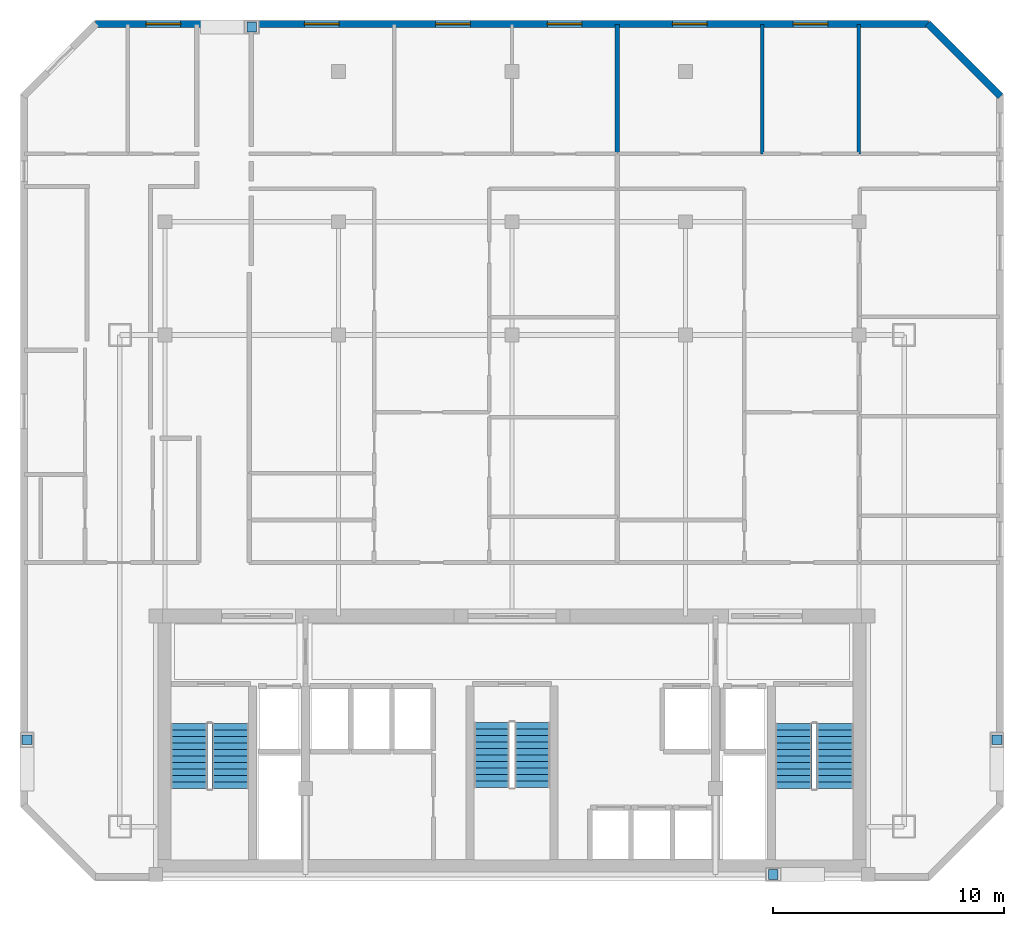
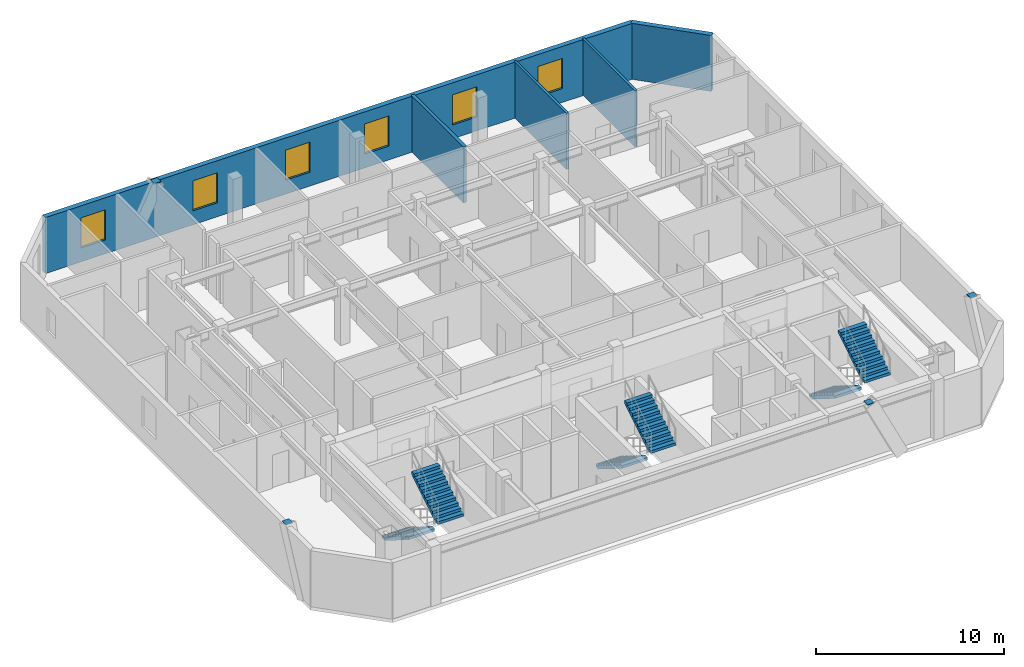
# One storey, part 6 of 7: 6 stair flights, 6 windows, 5 walls, 4 discrete accessories, 6 openings, 3 elements without a shape of their own.
"""IFC4 building model written with IfcOpenShell, lengths in metres."""

from ifc_helpers import new_model, si_unit, direction, frame, frame_2d, origin, origin_2d, place, context, subcontext, project, spatial, polyline, rectangle, outline, extrude, material, layer, layer_set, type_object, element, fill, aggregate, save


model = new_model("IFC4")

# Units and contexts
model_context = context("Model", 3, precision=1e-05, world=origin(), true_north=direction((0.0, 1.0)))
body_context = subcontext(model_context, "Body", "Model", "MODEL_VIEW")
ifc_project = project(units=[si_unit("LENGTHUNIT", "METRE"), si_unit("AREAUNIT", "SQUARE_METRE"), si_unit("VOLUMEUNIT", "CUBIC_METRE"), si_unit("PLANEANGLEUNIT", "RADIAN"), si_unit("MASSUNIT", "GRAM", prefix="KILO")], contexts=[model_context])

# Site, building, storey
site_placement = place(None, origin())
site = spatial("IfcSite", under=ifc_project, at=site_placement, CompositionType="ELEMENT")
building_placement = place(site_placement, origin())
building = spatial("IfcBuilding", under=site, at=building_placement, Name="Ventersveld Concourse Tower", CompositionType="ELEMENT")
storey_placement = place(building_placement, frame((0.0, 0.0, 223.39990234375)))
storey = spatial("IfcBuildingStorey", under=building, at=storey_placement, Name="L55", CompositionType="ELEMENT", Elevation=223.39990234375)

# Walls
ifc_material_1 = material(Name="Fire-rated autoclaved aerated masonry blockwork", Category="masonry")
ifc_layer_1 = layer(ifc_material_1, 0.199951171875)
ifc_layer_set_1 = layer_set([ifc_layer_1], Name="Fire-rated autoclaved aerated masonry blockwork")
wall_type_1 = type_object("IfcWallType", Name="WL-DEMISE-200", PredefinedType="PARTITIONING", material=ifc_layer_set_1)
wall_1_placement = place(storey_placement, frame((33.300048828125, 31.465087890625, 0.0), z_axis=(0.0, 0.0, 1.0), x_axis=(0.0, 1.0, 0.0)))
element("IfcWall", 1, at=wall_1_placement, inside=storey, type_object=wall_type_1, Name="L55 Interior Partition SP-L55-55N1-BR3-SP-L55-55N2-BR1", PredefinedType="PARTITIONING", context=body_context, shape_type="SweptSolid", body=[
    extrude(rectangle(XDim=5.5625, YDim=0.199951171875, at=frame_2d((2.78125, 0.0))), origin(), (0.0, 0.0, 1.0), 3.630126953125),
])
ifc_material_2 = material(Name="Autoclaved aerated masonry blockwork", Category="masonry")
ifc_layer_2 = layer(ifc_material_2, 0.14990234375)
ifc_layer_set_2 = layer_set([ifc_layer_2], Name="Autoclaved aerated masonry blockwork")
wall_type_2 = type_object("IfcWallType", Name="WL-INT-150", PredefinedType="PARTITIONING", material=ifc_layer_set_2)
for number, where, z_axis, x_axis, name in (
    (2, (39.56396484375, 31.425048828125, 0.0), (0.0, 0.0, 1.0), (0.0, 1.0, 0.0), "L55 Interior Partition SP-L55-55N2-BR1-SP-L55-55N2-BR2"),
    (3, (43.75, 31.425048828125, 0.0), (0.0, 0.0, 1.0), (0.0, 1.0, 0.0), "L55 Interior Partition SP-L55-55N2-BR2-SP-L55-55N2-BR3"),
):
    element("IfcWall", number, at=place(storey_placement, frame(where, z_axis=z_axis, x_axis=x_axis)), inside=storey, type_object=wall_type_2, Name=name, PredefinedType="PARTITIONING", context=body_context, shape_type="SweptSolid", body=[
        extrude(rectangle(XDim=5.6025390625, YDim=0.14990234375, at=frame_2d((2.80126953125, 0.0))), origin(), (0.0, 0.0, 1.0), 3.630126953125),
    ])
ifc_material_3 = material(Name="Precast concrete C45/55", Category="concrete")
ifc_layer_3 = layer(ifc_material_3, 0.300048828125)
ifc_layer_set_3 = layer_set([ifc_layer_3], Name="Precast concrete C45/55")
wall_type_3 = type_object("IfcWallType", Name="WL-PREC-300", PredefinedType="SOLIDWALL", material=ifc_layer_set_3)
wall_2_placement = place(storey_placement, frame((49.865478515625, 33.922119140625, 0.0), z_axis=(0.0, 0.0, 1.0), x_axis=(-0.707079321262, 0.707134240044, 0.0)))
element("IfcWall", 4, at=wall_2_placement, inside=storey, type_object=wall_type_3, Name="L55 Highveld Precast Facade Wall E04", PredefinedType="SOLIDWALL", context=body_context, shape_type="SweptSolid", body=[
    extrude(rectangle(XDim=4.445556640625, YDim=0.300048828125, at=frame_2d((2.22265625, 0.0))), origin(), (0.0, 0.0, 1.0), 3.630126953125),
])

# Wall, openings, windows
wall_3_placement = place(storey_placement, frame((46.760009765625, 37.050048828125, 0.0), z_axis=(0.0, 0.0, 1.0), x_axis=(-1.0, 0.0, 0.0)))
wall_3 = element("IfcWall", 5, at=wall_3_placement, inside=storey, type_object=wall_type_3, Name="L55 Highveld Precast Facade Wall E05", PredefinedType="SOLIDWALL", context=body_context, shape_type="SweptSolid", body=[
    extrude(rectangle(XDim=36.02001953125, YDim=0.300048828125, at=frame_2d((18.010009765625, 0.0))), origin(), (0.0, 0.0, 1.0), 3.630126953125),
])
opening_1_placement = place(wall_3_placement, frame((32.3369140625, 0.0, 0.89990234375)))
opening_1 = element("IfcOpeningElement", 6, at=opening_1_placement, cuts=wall_3, Name="Opening W1", PredefinedType="OPENING", context=body_context, shape_type="SweptSolid", body=[
    extrude(rectangle(XDim=1.5, YDim=1.949951171875, at=frame_2d((0.75, 0.97509765625))), frame((0.0, 0.16015625, 0.0), z_axis=(0.0, -1.0, 0.0), x_axis=(1.0, 0.0, 0.0)), (0.0, 0.0, 1.0), 0.320068359375),
])
opening_2_placement = place(wall_3_placement, frame((25.488037109375, 0.0, 0.89990234375)))
opening_2 = element("IfcOpeningElement", 7, at=opening_2_placement, cuts=wall_3, Name="Opening W1", PredefinedType="OPENING", context=body_context, shape_type="SweptSolid", body=[
    extrude(rectangle(XDim=1.5, YDim=1.949951171875, at=frame_2d((0.75, 0.97509765625))), frame((0.0, 0.16015625, 0.0), z_axis=(0.0, -1.0, 0.0), x_axis=(1.0, 0.0, 0.0)), (0.0, 0.0, 1.0), 0.320068359375),
])
opening_3_placement = place(wall_3_placement, frame((19.80810546875, 0.0, 0.89990234375)))
opening_3 = element("IfcOpeningElement", 8, at=opening_3_placement, cuts=wall_3, Name="Opening W1", PredefinedType="OPENING", context=body_context, shape_type="SweptSolid", body=[
    extrude(rectangle(XDim=1.5, YDim=1.949951171875, at=frame_2d((0.75, 0.97509765625))), frame((0.0, 0.16015625, 0.0), z_axis=(0.0, -1.0, 0.0), x_axis=(1.0, 0.0, 0.0)), (0.0, 0.0, 1.0), 0.320068359375),
])
opening_4_placement = place(wall_3_placement, frame((14.985107421875, 0.0, 0.89990234375)))
opening_4 = element("IfcOpeningElement", 9, at=opening_4_placement, cuts=wall_3, Name="Opening W1", PredefinedType="OPENING", context=body_context, shape_type="SweptSolid", body=[
    extrude(rectangle(XDim=1.5, YDim=1.949951171875, at=frame_2d((0.75, 0.97509765625))), frame((0.0, 0.16015625, 0.0), z_axis=(0.0, -1.0, 0.0), x_axis=(1.0, 0.0, 0.0)), (0.0, 0.0, 1.0), 0.320068359375),
])
opening_5_placement = place(wall_3_placement, frame((9.577880859375, 0.0, 0.89990234375)))
opening_5 = element("IfcOpeningElement", 10, at=opening_5_placement, cuts=wall_3, Name="Opening W1", PredefinedType="OPENING", context=body_context, shape_type="SweptSolid", body=[
    extrude(rectangle(XDim=1.5, YDim=1.949951171875, at=frame_2d((0.75, 0.97509765625))), frame((0.0, 0.16015625, 0.0), z_axis=(0.0, -1.0, 0.0), x_axis=(1.0, 0.0, 0.0)), (0.0, 0.0, 1.0), 0.320068359375),
])
opening_6_placement = place(wall_3_placement, frame((4.35302734375, 0.0, 0.89990234375)))
opening_6 = element("IfcOpeningElement", 11, at=opening_6_placement, cuts=wall_3, Name="Opening W1", PredefinedType="OPENING", context=body_context, shape_type="SweptSolid", body=[
    extrude(rectangle(XDim=1.5, YDim=1.949951171875, at=frame_2d((0.75, 0.97509765625))), frame((0.0, 0.16015625, 0.0), z_axis=(0.0, -1.0, 0.0), x_axis=(1.0, 0.0, 0.0)), (0.0, 0.0, 1.0), 0.320068359375),
])
ifc_material_4 = material(Name="Tempered acoustic Low-E IGU", Category="glass")
window_type = type_object("IfcWindowType", Name="WIN-150x210", PartitioningType="SINGLE_PANEL", PredefinedType="WINDOW", material=ifc_material_4)
window_1_placement = place(opening_1_placement, origin())
window_1 = element("IfcWindow", 12, at=window_1_placement, inside=storey, type_object=window_type, Name="L55 Punched Low-E Window W-0784", OverallHeight=1.949951171875, OverallWidth=1.5, PartitioningType="SINGLE_PANEL", PredefinedType="WINDOW", context=body_context, shape_type="SweptSolid", body=[
    extrude(rectangle(XDim=1.5, YDim=1.949951171875, at=frame_2d((0.75, 0.97509765625))), frame((0.0, 0.030029296875, 0.0), z_axis=(0.0, -1.0, 0.0), x_axis=(1.0, 0.0, 0.0)), (0.0, 0.0, 1.0), 0.06005859375),
])
fill(opening_1, window_1)
window_2_placement = place(opening_2_placement, origin())
window_2 = element("IfcWindow", 13, at=window_2_placement, inside=storey, type_object=window_type, Name="L55 Punched Low-E Window W-0785", OverallHeight=1.949951171875, OverallWidth=1.5, PartitioningType="SINGLE_PANEL", PredefinedType="WINDOW", context=body_context, shape_type="SweptSolid", body=[
    extrude(rectangle(XDim=1.5, YDim=1.949951171875, at=frame_2d((0.75, 0.97509765625))), frame((0.0, 0.030029296875, 0.0), z_axis=(0.0, -1.0, 0.0), x_axis=(1.0, 0.0, 0.0)), (0.0, 0.0, 1.0), 0.06005859375),
])
fill(opening_2, window_2)
window_3_placement = place(opening_3_placement, origin())
window_3 = element("IfcWindow", 14, at=window_3_placement, inside=storey, type_object=window_type, Name="L55 Punched Low-E Window W-0786", OverallHeight=1.949951171875, OverallWidth=1.5, PartitioningType="SINGLE_PANEL", PredefinedType="WINDOW", context=body_context, shape_type="SweptSolid", body=[
    extrude(rectangle(XDim=1.5, YDim=1.949951171875, at=frame_2d((0.75, 0.97509765625))), frame((0.0, 0.030029296875, 0.0), z_axis=(0.0, -1.0, 0.0), x_axis=(1.0, 0.0, 0.0)), (0.0, 0.0, 1.0), 0.06005859375),
])
fill(opening_3, window_3)
window_4_placement = place(opening_4_placement, origin())
window_4 = element("IfcWindow", 15, at=window_4_placement, inside=storey, type_object=window_type, Name="L55 Punched Low-E Window W-0787", OverallHeight=1.949951171875, OverallWidth=1.5, PartitioningType="SINGLE_PANEL", PredefinedType="WINDOW", context=body_context, shape_type="SweptSolid", body=[
    extrude(rectangle(XDim=1.5, YDim=1.949951171875, at=frame_2d((0.75, 0.97509765625))), frame((0.0, 0.030029296875, 0.0), z_axis=(0.0, -1.0, 0.0), x_axis=(1.0, 0.0, 0.0)), (0.0, 0.0, 1.0), 0.06005859375),
])
fill(opening_4, window_4)
window_5_placement = place(opening_5_placement, origin())
window_5 = element("IfcWindow", 16, at=window_5_placement, inside=storey, type_object=window_type, Name="L55 Punched Low-E Window W-0793", OverallHeight=1.949951171875, OverallWidth=1.5, PartitioningType="SINGLE_PANEL", PredefinedType="WINDOW", context=body_context, shape_type="SweptSolid", body=[
    extrude(rectangle(XDim=1.5, YDim=1.949951171875, at=frame_2d((0.75, 0.97509765625))), frame((0.0, 0.030029296875, 0.0), z_axis=(0.0, -1.0, 0.0), x_axis=(1.0, 0.0, 0.0)), (0.0, 0.0, 1.0), 0.06005859375),
])
fill(opening_5, window_5)
window_6_placement = place(opening_6_placement, origin())
window_6 = element("IfcWindow", 17, at=window_6_placement, inside=storey, type_object=window_type, Name="L55 Punched Low-E Window W-0794", OverallHeight=1.949951171875, OverallWidth=1.5, PartitioningType="SINGLE_PANEL", PredefinedType="WINDOW", context=body_context, shape_type="SweptSolid", body=[
    extrude(rectangle(XDim=1.5, YDim=1.949951171875, at=frame_2d((0.75, 0.97509765625))), frame((0.0, 0.030029296875, 0.0), z_axis=(0.0, -1.0, 0.0), x_axis=(1.0, 0.0, 0.0)), (0.0, 0.0, 1.0), 0.06005859375),
])
fill(opening_6, window_6)

# Stair, stair flights
ifc_material_5 = material(Name="Concrete C50/60", Category="concrete")
stair_type_1 = type_object("IfcStairType", Name="ST-DOG-155", PredefinedType="HALF_TURN_STAIR", material=ifc_material_5)
stair_1_placement = place(storey_placement, origin())
stair_1 = element("IfcStair", 18, at=stair_1_placement, inside=storey, type_object=stair_type_1, Name="L55 Protected Central Core Escape Stair ST-03", PredefinedType="HALF_TURN_STAIR")
stair_flight_type_1 = type_object("IfcStairFlightType", Name="STF-RC-155", PredefinedType="STRAIGHT", material=ifc_material_5)
stair_flight_1_placement = place(storey_placement, frame((27.875, 6.85009765625, 0.0), z_axis=(0.0, 0.0, 1.0), x_axis=(0.0, -1.0, 0.0)))
stair_flight_1 = element("IfcStairFlight", 19, at=stair_flight_1_placement, type_object=stair_flight_type_1, Name="ST-03 flight 1", NumberOfRisers=11, NumberOfTreads=10, PredefinedType="STRAIGHT", RiserHeight=0.175, TreadLength=0.28, context=body_context, shape_type="SweptSolid", body=[
    extrude(outline(polyline([(0.0, 0.0), (0.0, 0.175048828125), (0.280029296875, 0.175048828125), (0.280029296875, 0.35009765625), (0.56005859375, 0.35009765625), (0.56005859375, 0.52490234375), (0.840087890625, 0.52490234375), (0.840087890625, 0.699951171875), (1.1201171875, 0.699951171875), (1.1201171875, 0.875), (1.39990234375, 0.875), (1.39990234375, 1.050048828125), (1.679931640625, 1.050048828125), (1.679931640625, 1.22509765625), (1.9599609375, 1.22509765625), (1.9599609375, 1.39990234375), (2.239990234375, 1.39990234375), (2.239990234375, 1.574951171875), (2.52001953125, 1.574951171875), (2.52001953125, 1.75), (2.800048828125, 1.75), (2.800048828125, 1.925048828125), (2.800048828125, 1.5732421875), (0.28271484375, 0.0), (0.0, 0.0)])), frame((0.0, 0.77490234375, 0.0), z_axis=(0.0, -1.0, 0.0), x_axis=(1.0, 0.0, 0.0)), (0.0, 0.0, 1.0), 1.550048828125),
])
stair_flight_2_placement = place(storey_placement, frame((29.625, 4.050048828125, 1.925048828125), z_axis=(0.0, 0.0, 1.0), x_axis=(0.0, 1.0, 0.0)))
stair_flight_2 = element("IfcStairFlight", 20, at=stair_flight_2_placement, type_object=stair_flight_type_1, Name="ST-03 flight 2", NumberOfRisers=11, NumberOfTreads=10, PredefinedType="STRAIGHT", RiserHeight=0.175, TreadLength=0.28, context=body_context, shape_type="SweptSolid", body=[
    extrude(outline(polyline([(0.0, 0.0), (0.0, 0.175048828125), (0.280029296875, 0.175048828125), (0.280029296875, 0.35009765625), (0.56005859375, 0.35009765625), (0.56005859375, 0.52490234375), (0.840087890625, 0.52490234375), (0.840087890625, 0.699951171875), (1.1201171875, 0.699951171875), (1.1201171875, 0.875), (1.39990234375, 0.875), (1.39990234375, 1.050048828125), (1.679931640625, 1.050048828125), (1.679931640625, 1.22509765625), (1.9599609375, 1.22509765625), (1.9599609375, 1.39990234375), (2.239990234375, 1.39990234375), (2.239990234375, 1.574951171875), (2.52001953125, 1.574951171875), (2.52001953125, 1.75), (2.800048828125, 1.75), (2.800048828125, 1.925048828125), (2.800048828125, 1.5732421875), (0.28271484375, 0.0), (0.0, 0.0)])), frame((0.0, 0.77490234375, 0.0), z_axis=(0.0, -1.0, 0.0), x_axis=(1.0, 0.0, 0.0)), (0.0, 0.0, 1.0), 1.550048828125),
])
aggregate(stair_1, [stair_flight_1, stair_flight_2])

stair_type_2 = type_object("IfcStairType", Name="ST-DOG-160", PredefinedType="HALF_TURN_STAIR", material=ifc_material_5)
stair_2_placement = place(storey_placement, origin())
stair_2 = element("IfcStair", 21, at=stair_2_placement, inside=storey, type_object=stair_type_2, Name="L55 Protected Tower Escape Stair ST-01", PredefinedType="HALF_TURN_STAIR")
stair_flight_type_2 = type_object("IfcStairFlightType", Name="STF-RC-160", PredefinedType="STRAIGHT", material=ifc_material_5)
stair_flight_3_placement = place(storey_placement, frame((14.780029296875, 6.800048828125, 0.0), z_axis=(0.0, 0.0, 1.0), x_axis=(0.0, -1.0, 0.0)))
stair_flight_3 = element("IfcStairFlight", 22, at=stair_flight_3_placement, type_object=stair_flight_type_2, Name="ST-01 flight 1", NumberOfRisers=11, NumberOfTreads=10, PredefinedType="STRAIGHT", RiserHeight=0.175, TreadLength=0.28, context=body_context, shape_type="SweptSolid", body=[
    extrude(outline(polyline([(0.0, 0.0), (0.0, 0.175048828125), (0.280029296875, 0.175048828125), (0.280029296875, 0.35009765625), (0.56005859375, 0.35009765625), (0.56005859375, 0.52490234375), (0.840087890625, 0.52490234375), (0.840087890625, 0.699951171875), (1.1201171875, 0.699951171875), (1.1201171875, 0.875), (1.39990234375, 0.875), (1.39990234375, 1.050048828125), (1.679931640625, 1.050048828125), (1.679931640625, 1.22509765625), (1.9599609375, 1.22509765625), (1.9599609375, 1.39990234375), (2.239990234375, 1.39990234375), (2.239990234375, 1.574951171875), (2.52001953125, 1.574951171875), (2.52001953125, 1.75), (2.800048828125, 1.75), (2.800048828125, 1.925048828125), (2.800048828125, 1.5732421875), (0.28271484375, 0.0), (0.0, 0.0)])), frame((0.0, 0.800048828125, 0.0), z_axis=(0.0, -1.0, 0.0), x_axis=(1.0, 0.0, 0.0)), (0.0, 0.0, 1.0), 1.60009765625),
])
stair_flight_4_placement = place(storey_placement, frame((16.580078125, 4.0, 1.925048828125), z_axis=(0.0, 0.0, 1.0), x_axis=(0.0, 1.0, 0.0)))
stair_flight_4 = element("IfcStairFlight", 23, at=stair_flight_4_placement, type_object=stair_flight_type_2, Name="ST-01 flight 2", NumberOfRisers=11, NumberOfTreads=10, PredefinedType="STRAIGHT", RiserHeight=0.175, TreadLength=0.28, context=body_context, shape_type="SweptSolid", body=[
    extrude(outline(polyline([(0.0, 0.0), (0.0, 0.175048828125), (0.280029296875, 0.175048828125), (0.280029296875, 0.35009765625), (0.56005859375, 0.35009765625), (0.56005859375, 0.52490234375), (0.840087890625, 0.52490234375), (0.840087890625, 0.699951171875), (1.1201171875, 0.699951171875), (1.1201171875, 0.875), (1.39990234375, 0.875), (1.39990234375, 1.050048828125), (1.679931640625, 1.050048828125), (1.679931640625, 1.22509765625), (1.9599609375, 1.22509765625), (1.9599609375, 1.39990234375), (2.239990234375, 1.39990234375), (2.239990234375, 1.574951171875), (2.52001953125, 1.574951171875), (2.52001953125, 1.75), (2.800048828125, 1.75), (2.800048828125, 1.925048828125), (2.800048828125, 1.5732421875), (0.28271484375, 0.0), (0.0, 0.0)])), frame((0.0, 0.800048828125, 0.0), z_axis=(0.0, -1.0, 0.0), x_axis=(1.0, 0.0, 0.0)), (0.0, 0.0, 1.0), 1.60009765625),
])
aggregate(stair_2, [stair_flight_3, stair_flight_4])

stair_3_placement = place(storey_placement, origin())
stair_3 = element("IfcStair", 24, at=stair_3_placement, inside=storey, type_object=stair_type_2, Name="L55 Protected Tower Escape Stair ST-02", PredefinedType="HALF_TURN_STAIR")
stair_flight_5_placement = place(storey_placement, frame((40.919921875, 6.800048828125, 0.0), z_axis=(0.0, 0.0, 1.0), x_axis=(0.0, -1.0, 0.0)))
stair_flight_5 = element("IfcStairFlight", 25, at=stair_flight_5_placement, type_object=stair_flight_type_2, Name="ST-02 flight 1", NumberOfRisers=11, NumberOfTreads=10, PredefinedType="STRAIGHT", RiserHeight=0.175, TreadLength=0.28, context=body_context, shape_type="SweptSolid", body=[
    extrude(outline(polyline([(0.0, 0.0), (0.0, 0.175048828125), (0.280029296875, 0.175048828125), (0.280029296875, 0.35009765625), (0.56005859375, 0.35009765625), (0.56005859375, 0.52490234375), (0.840087890625, 0.52490234375), (0.840087890625, 0.699951171875), (1.1201171875, 0.699951171875), (1.1201171875, 0.875), (1.39990234375, 0.875), (1.39990234375, 1.050048828125), (1.679931640625, 1.050048828125), (1.679931640625, 1.22509765625), (1.9599609375, 1.22509765625), (1.9599609375, 1.39990234375), (2.239990234375, 1.39990234375), (2.239990234375, 1.574951171875), (2.52001953125, 1.574951171875), (2.52001953125, 1.75), (2.800048828125, 1.75), (2.800048828125, 1.925048828125), (2.800048828125, 1.5732421875), (0.28271484375, 0.0), (0.0, 0.0)])), frame((0.0, 0.800048828125, 0.0), z_axis=(0.0, -1.0, 0.0), x_axis=(1.0, 0.0, 0.0)), (0.0, 0.0, 1.0), 1.60009765625),
])
stair_flight_6_placement = place(storey_placement, frame((42.719970703125, 4.0, 1.925048828125), z_axis=(0.0, 0.0, 1.0), x_axis=(0.0, 1.0, 0.0)))
stair_flight_6 = element("IfcStairFlight", 26, at=stair_flight_6_placement, type_object=stair_flight_type_2, Name="ST-02 flight 2", NumberOfRisers=11, NumberOfTreads=10, PredefinedType="STRAIGHT", RiserHeight=0.175, TreadLength=0.28, context=body_context, shape_type="SweptSolid", body=[
    extrude(outline(polyline([(0.0, 0.0), (0.0, 0.175048828125), (0.280029296875, 0.175048828125), (0.280029296875, 0.35009765625), (0.56005859375, 0.35009765625), (0.56005859375, 0.52490234375), (0.840087890625, 0.52490234375), (0.840087890625, 0.699951171875), (1.1201171875, 0.699951171875), (1.1201171875, 0.875), (1.39990234375, 0.875), (1.39990234375, 1.050048828125), (1.679931640625, 1.050048828125), (1.679931640625, 1.22509765625), (1.9599609375, 1.22509765625), (1.9599609375, 1.39990234375), (2.239990234375, 1.39990234375), (2.239990234375, 1.574951171875), (2.52001953125, 1.574951171875), (2.52001953125, 1.75), (2.800048828125, 1.75), (2.800048828125, 1.925048828125), (2.800048828125, 1.5732421875), (0.28271484375, 0.0), (0.0, 0.0)])), frame((0.0, 0.800048828125, 0.0), z_axis=(0.0, -1.0, 0.0), x_axis=(1.0, 0.0, 0.0)), (0.0, 0.0, 1.0), 1.60009765625),
])
aggregate(stair_3, [stair_flight_5, stair_flight_6])

# Discrete accessories
ifc_material_6 = material(Name="Structural steel S355J2", Category="steel")
discrete_accessory_type = type_object("IfcDiscreteAccessoryType", Name="CONN-BRACE-ECP1", PredefinedType="BRACKET", material=ifc_material_6)
for number, where, z_axis, x_axis, name in (
    (27, (17.5, 36.919921875, 3.610107421875), (0.0, 0.0, 1.0), (1.0, 0.0, 0.0), "L55 Steel Brace End Connection Plate ECP1-0403"),
    (28, (40.050048828125, 0.280029296875, 3.610107421875), (0.0, 0.0, 1.0), (1.0, 0.0, 0.0), "L55 Steel Brace End Connection Plate ECP1-0407"),
    (29, (7.780029296875, 6.10009765625, 3.610107421875), (0.0, 0.0, 1.0), (1.0, 0.0, 0.0), "L55 Steel Brace End Connection Plate ECP1-0412"),
    (30, (49.719970703125, 6.10009765625, 3.610107421875), (0.0, 0.0, 1.0), (1.0, 0.0, 0.0), "L55 Steel Brace End Connection Plate ECP1-0417"),
):
    element("IfcDiscreteAccessory", number, at=place(storey_placement, frame(where, z_axis=z_axis, x_axis=x_axis)), inside=storey, type_object=discrete_accessory_type, Name=name, PredefinedType="BRACKET", context=body_context, shape_type="SweptSolid", body=[
        extrude(rectangle(XDim=0.419921875, YDim=0.419921875, at=origin_2d()), origin(), (0.0, 0.0, 1.0), 0.0400390625),
    ])

save(model, "model.ifc")
